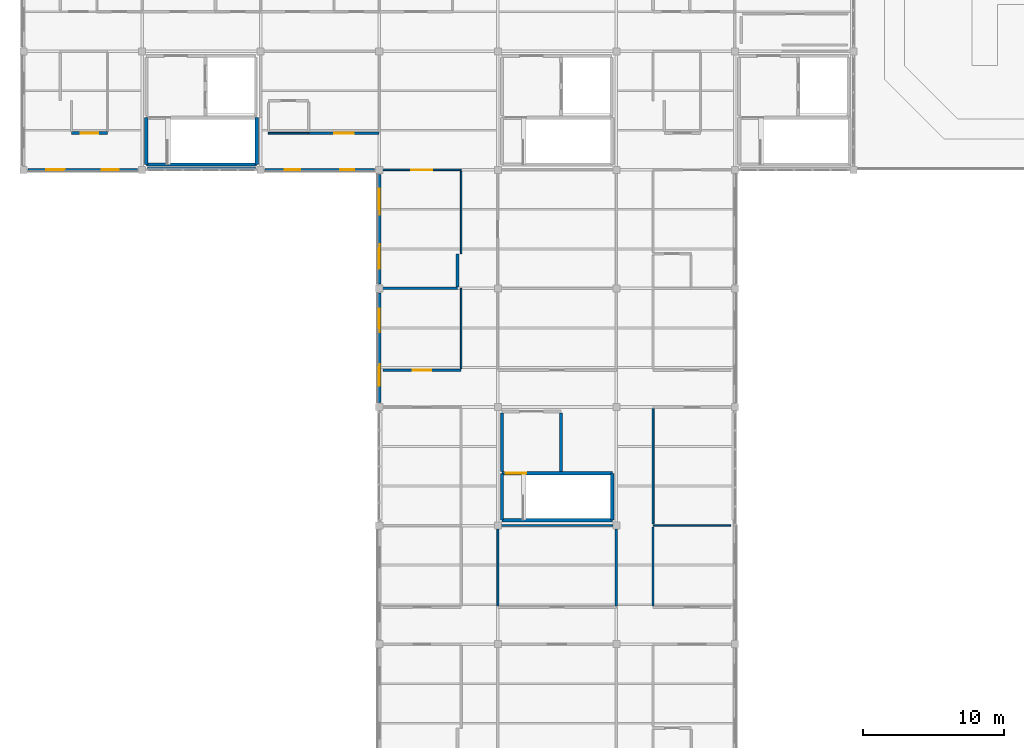
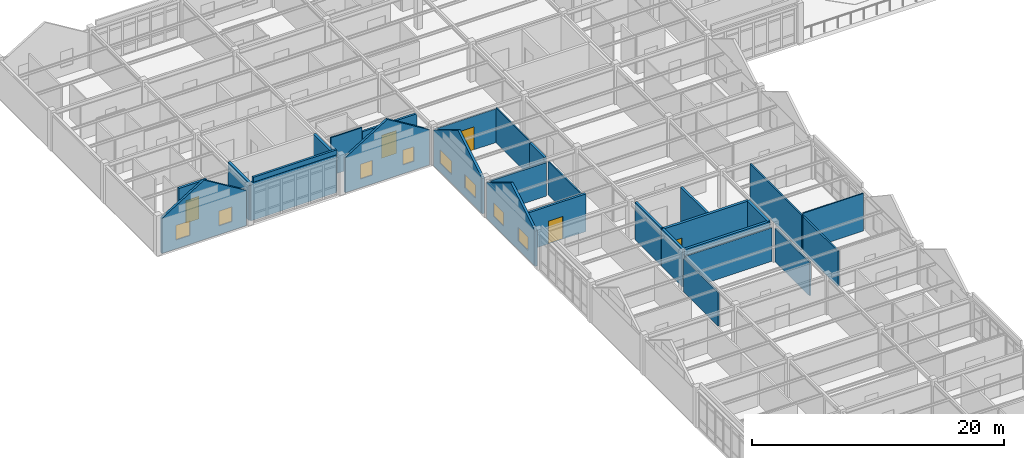
# One storey, part 38 of 45: 29 walls, 8 windows, 5 doors, 13 openings.
"""IFC4 building model written with IfcOpenShell, lengths in metres."""

from ifc_helpers import new_model, si_unit, direction, frame, frame_2d, origin, place, context, subcontext, project, spatial, polyline, rectangle, outline, extrude, material, layer, layer_set, type_object, element, fill, save


model = new_model("IFC4")

# Units and contexts
model_context = context("Model", 3, precision=1e-05, world=origin(), true_north=direction((0.0, 1.0)))
body_context = subcontext(model_context, "Body", "Model", "MODEL_VIEW")
ifc_project = project(units=[si_unit("LENGTHUNIT", "METRE"), si_unit("AREAUNIT", "SQUARE_METRE"), si_unit("VOLUMEUNIT", "CUBIC_METRE"), si_unit("PLANEANGLEUNIT", "RADIAN"), si_unit("MASSUNIT", "GRAM", prefix="KILO")], contexts=[model_context])

# Site, building, storey
site_placement = place(None, origin())
site = spatial("IfcSite", under=ifc_project, at=site_placement, CompositionType="ELEMENT")
building_placement = place(site_placement, origin())
building = spatial("IfcBuilding", under=site, at=building_placement, Name="Bramfleet General Hospital", CompositionType="ELEMENT")
storey_placement = place(building_placement, frame((0.0, 0.0, 30.300048828125)))
storey = spatial("IfcBuildingStorey", under=building, at=storey_placement, Name="L07", CompositionType="ELEMENT", Elevation=30.300048828125)

# Wall, openings, windows
ifc_material_1 = material(Name="Structural timber GL28h", Category="wood")
ifc_layer_1 = layer(ifc_material_1, 0.219970703125, Name="WT-EW-10")
ifc_layer_set_1 = layer_set([ifc_layer_1], Name="Structural timber GL28h")
wall_type_1 = type_object("IfcWallType", Name="WT-EW-10", PredefinedType="SOLIDWALL", material=ifc_layer_set_1)
wall_1_placement = place(storey_placement, frame((92.39990234375, 75.925048828125, 0.0), z_axis=(0.0, 0.0, 1.0), x_axis=(0.0, 1.0, 0.0)))
wall_1 = element("IfcWall", 1, at=wall_1_placement, inside=storey, type_object=wall_type_1, Name="L07 Exterior Wall 429", PredefinedType="SOLIDWALL", context=body_context, shape_type="SweptSolid", body=[
    extrude(outline(polyline([(0.0, 0.0), (7.75, 0.0), (7.75, 3.419921875), (3.875, 5.76025390625), (0.0, 3.419921875), (0.0, 0.0)])), frame((0.0, 0.10986328125, 0.0), z_axis=(0.0, -1.0, 0.0), x_axis=(1.0, 0.0, 0.0)), (0.0, 0.0, 1.0), 0.219970703125),
])
opening_1_placement = place(wall_1_placement, frame((1.16259765625, 0.0, 0.85009765625)))
opening_1 = element("IfcOpeningElement", 2, at=opening_1_placement, cuts=wall_1, Name="Opening W-07", PredefinedType="OPENING", context=body_context, shape_type="SweptSolid", body=[
    extrude(rectangle(XDim=1.550048828125, YDim=1.300048828125, at=frame_2d((0.77490234375, 0.64990234375))), frame((0.0, 0.119873046875, 0.0), z_axis=(0.0, -1.0, 0.0), x_axis=(1.0, 0.0, 0.0)), (0.0, 0.0, 1.0), 0.239990234375),
])
opening_2_placement = place(wall_1_placement, frame((4.987548828125, 0.0, 0.85009765625)))
opening_2 = element("IfcOpeningElement", 3, at=opening_2_placement, cuts=wall_1, Name="Opening W-08", PredefinedType="OPENING", context=body_context, shape_type="SweptSolid", body=[
    extrude(rectangle(XDim=1.64990234375, YDim=1.300048828125, at=frame_2d((0.824951171875, 0.64990234375))), frame((0.0, 0.119873046875, 0.0), z_axis=(0.0, -1.0, 0.0), x_axis=(1.0, 0.0, 0.0)), (0.0, 0.0, 1.0), 0.239990234375),
])
ifc_material_2 = material(Name="Anodised aluminium and low-E triple glazing", Category="aluminium")
window_type_1 = type_object("IfcWindowType", Name="WIN-W-07", PartitioningType="SINGLE_PANEL", PredefinedType="WINDOW", material=ifc_material_2)
window_1_placement = place(opening_1_placement, origin())
window_1 = element("IfcWindow", 4, at=window_1_placement, inside=storey, type_object=window_type_1, Name="L07 Facade Window WIN-L07-429-1", OverallHeight=1.300048828125, OverallWidth=1.550048828125, PartitioningType="SINGLE_PANEL", PredefinedType="WINDOW", context=body_context, shape_type="SweptSolid", body=[
    extrude(rectangle(XDim=1.550048828125, YDim=1.300048828125, at=frame_2d((0.77490234375, 0.64990234375))), frame((0.0, 0.030029296875, 0.0), z_axis=(0.0, -1.0, 0.0), x_axis=(1.0, 0.0, 0.0)), (0.0, 0.0, 1.0), 0.06005859375),
])
fill(opening_1, window_1)
window_type_2 = type_object("IfcWindowType", Name="WIN-W-08", PartitioningType="SINGLE_PANEL", PredefinedType="WINDOW", material=ifc_material_2)
window_2_placement = place(opening_2_placement, origin())
window_2 = element("IfcWindow", 5, at=window_2_placement, inside=storey, type_object=window_type_2, Name="L07 Facade Window WIN-L07-429-2", OverallHeight=1.300048828125, OverallWidth=1.64990234375, PartitioningType="SINGLE_PANEL", PredefinedType="WINDOW", context=body_context, shape_type="SweptSolid", body=[
    extrude(rectangle(XDim=1.64990234375, YDim=1.300048828125, at=frame_2d((0.824951171875, 0.64990234375))), frame((0.0, 0.030029296875, 0.0), z_axis=(0.0, -1.0, 0.0), x_axis=(1.0, 0.0, 0.0)), (0.0, 0.0, 1.0), 0.06005859375),
])
fill(opening_2, window_2)

wall_2_placement = place(storey_placement, frame((92.39990234375, 84.324951171875, 0.0), z_axis=(0.0, 0.0, 1.0), x_axis=(0.0, 1.0, 0.0)))
wall_2 = element("IfcWall", 6, at=wall_2_placement, inside=storey, type_object=wall_type_1, Name="L07 Exterior Wall 430", PredefinedType="SOLIDWALL", context=body_context, shape_type="SweptSolid", body=[
    extrude(outline(polyline([(0.0, 0.0), (7.75, 0.0), (7.75, 3.419921875), (3.875, 5.76025390625), (0.0, 3.419921875), (0.0, 0.0)])), frame((0.0, 0.10986328125, 0.0), z_axis=(0.0, -1.0, 0.0), x_axis=(1.0, 0.0, 0.0)), (0.0, 0.0, 1.0), 0.219970703125),
])
opening_3_placement = place(wall_2_placement, frame((1.0625, 0.0, 0.85009765625)))
opening_3 = element("IfcOpeningElement", 7, at=opening_3_placement, cuts=wall_2, Name="Opening W-09", PredefinedType="OPENING", context=body_context, shape_type="SweptSolid", body=[
    extrude(rectangle(XDim=1.75, YDim=1.300048828125, at=frame_2d((0.875, 0.64990234375))), frame((0.0, 0.119873046875, 0.0), z_axis=(0.0, -1.0, 0.0), x_axis=(1.0, 0.0, 0.0)), (0.0, 0.0, 1.0), 0.239990234375),
])
opening_4_placement = place(wall_2_placement, frame((4.887451171875, 0.0, 0.85009765625)))
opening_4 = element("IfcOpeningElement", 8, at=opening_4_placement, cuts=wall_2, Name="Opening W-10", PredefinedType="OPENING", context=body_context, shape_type="SweptSolid", body=[
    extrude(rectangle(XDim=1.85009765625, YDim=1.300048828125, at=frame_2d((0.925048828125, 0.64990234375))), frame((0.0, 0.119873046875, 0.0), z_axis=(0.0, -1.0, 0.0), x_axis=(1.0, 0.0, 0.0)), (0.0, 0.0, 1.0), 0.239990234375),
])
window_type_3 = type_object("IfcWindowType", Name="WIN-W-09", PartitioningType="SINGLE_PANEL", PredefinedType="WINDOW", material=ifc_material_2)
window_3_placement = place(opening_3_placement, origin())
window_3 = element("IfcWindow", 9, at=window_3_placement, inside=storey, type_object=window_type_3, Name="L07 Facade Window WIN-L07-430-1", OverallHeight=1.300048828125, OverallWidth=1.75, PartitioningType="SINGLE_PANEL", PredefinedType="WINDOW", context=body_context, shape_type="SweptSolid", body=[
    extrude(rectangle(XDim=1.75, YDim=1.300048828125, at=frame_2d((0.875, 0.64990234375))), frame((0.0, 0.030029296875, 0.0), z_axis=(0.0, -1.0, 0.0), x_axis=(1.0, 0.0, 0.0)), (0.0, 0.0, 1.0), 0.06005859375),
])
fill(opening_3, window_3)
window_type_4 = type_object("IfcWindowType", Name="WIN-W-10", PartitioningType="SINGLE_PANEL", PredefinedType="WINDOW", material=ifc_material_2)
window_4_placement = place(opening_4_placement, origin())
window_4 = element("IfcWindow", 10, at=window_4_placement, inside=storey, type_object=window_type_4, Name="L07 Facade Window WIN-L07-430-2", OverallHeight=1.300048828125, OverallWidth=1.85009765625, PartitioningType="SINGLE_PANEL", PredefinedType="WINDOW", context=body_context, shape_type="SweptSolid", body=[
    extrude(rectangle(XDim=1.85009765625, YDim=1.300048828125, at=frame_2d((0.925048828125, 0.64990234375))), frame((0.0, 0.030029296875, 0.0), z_axis=(0.0, -1.0, 0.0), x_axis=(1.0, 0.0, 0.0)), (0.0, 0.0, 1.0), 0.06005859375),
])
fill(opening_4, window_4)

wall_3_placement = place(storey_placement, frame((92.074951171875, 92.39990234375, 0.0), z_axis=(0.0, 0.0, 1.0), x_axis=(-1.0, 0.0, 0.0)))
wall_3 = element("IfcWall", 11, at=wall_3_placement, inside=storey, type_object=wall_type_1, Name="L07 Exterior Wall 431", PredefinedType="SOLIDWALL", context=body_context, shape_type="SweptSolid", body=[
    extrude(outline(polyline([(0.0, 0.0), (7.75, 0.0), (7.75, 3.39990234375), (3.875, 5.76025390625), (0.0, 3.39990234375), (0.0, 0.0)])), frame((0.0, 0.10986328125, 0.0), z_axis=(0.0, -1.0, 0.0), x_axis=(1.0, 0.0, 0.0)), (0.0, 0.0, 1.0), 0.219970703125),
])
opening_5_placement = place(wall_3_placement, frame((1.4375, 0.0, 0.85009765625)))
opening_5 = element("IfcOpeningElement", 12, at=opening_5_placement, cuts=wall_3, Name="Opening W-11", PredefinedType="OPENING", context=body_context, shape_type="SweptSolid", body=[
    extrude(rectangle(XDim=1.0, YDim=1.419921875, at=frame_2d((0.5, 0.7099609375))), frame((0.0, 0.119873046875, 0.0), z_axis=(0.0, -1.0, 0.0), x_axis=(1.0, 0.0, 0.0)), (0.0, 0.0, 1.0), 0.239990234375),
])
opening_6_placement = place(wall_3_placement, frame((5.262451171875, 0.0, 0.85009765625)))
opening_6 = element("IfcOpeningElement", 13, at=opening_6_placement, cuts=wall_3, Name="Opening W-12", PredefinedType="OPENING", context=body_context, shape_type="SweptSolid", body=[
    extrude(rectangle(XDim=1.10009765625, YDim=1.419921875, at=frame_2d((0.550048828125, 0.7099609375))), frame((0.0, 0.119873046875, 0.0), z_axis=(0.0, -1.0, 0.0), x_axis=(1.0, 0.0, 0.0)), (0.0, 0.0, 1.0), 0.239990234375),
])
window_type_5 = type_object("IfcWindowType", Name="WIN-W-11", PartitioningType="SINGLE_PANEL", PredefinedType="WINDOW", material=ifc_material_2)
window_5_placement = place(opening_5_placement, origin())
window_5 = element("IfcWindow", 14, at=window_5_placement, inside=storey, type_object=window_type_5, Name="L07 Facade Window WIN-L07-431-1", OverallHeight=1.419921875, OverallWidth=1.0, PartitioningType="SINGLE_PANEL", PredefinedType="WINDOW", context=body_context, shape_type="SweptSolid", body=[
    extrude(rectangle(XDim=1.0, YDim=1.419921875, at=frame_2d((0.5, 0.7099609375))), frame((0.0, 0.030029296875, 0.0), z_axis=(0.0, -1.0, 0.0), x_axis=(1.0, 0.0, 0.0)), (0.0, 0.0, 1.0), 0.06005859375),
])
fill(opening_5, window_5)
window_type_6 = type_object("IfcWindowType", Name="WIN-W-12", PartitioningType="SINGLE_PANEL", PredefinedType="WINDOW", material=ifc_material_2)
window_6_placement = place(opening_6_placement, origin())
window_6 = element("IfcWindow", 15, at=window_6_placement, inside=storey, type_object=window_type_6, Name="L07 Facade Window WIN-L07-431-2", OverallHeight=1.419921875, OverallWidth=1.10009765625, PartitioningType="SINGLE_PANEL", PredefinedType="WINDOW", context=body_context, shape_type="SweptSolid", body=[
    extrude(rectangle(XDim=1.10009765625, YDim=1.419921875, at=frame_2d((0.550048828125, 0.7099609375))), frame((0.0, 0.030029296875, 0.0), z_axis=(0.0, -1.0, 0.0), x_axis=(1.0, 0.0, 0.0)), (0.0, 0.0, 1.0), 0.06005859375),
])
fill(opening_6, window_6)

wall_4_placement = place(storey_placement, frame((75.27490234375, 92.39990234375, 0.0), z_axis=(0.0, 0.0, 1.0), x_axis=(-1.0, 0.0, 0.0)))
wall_4 = element("IfcWall", 16, at=wall_4_placement, inside=storey, type_object=wall_type_1, Name="L07 Exterior Wall 432", PredefinedType="SOLIDWALL", context=body_context, shape_type="SweptSolid", body=[
    extrude(outline(polyline([(0.0, 0.0), (7.75, 0.0), (7.75, 3.39990234375), (3.875, 5.76025390625), (0.0, 3.39990234375), (0.0, 0.0)])), frame((0.0, 0.10986328125, 0.0), z_axis=(0.0, -1.0, 0.0), x_axis=(1.0, 0.0, 0.0)), (0.0, 0.0, 1.0), 0.219970703125),
])
opening_7_placement = place(wall_4_placement, frame((1.33740234375, 0.0, 0.85009765625)))
opening_7 = element("IfcOpeningElement", 17, at=opening_7_placement, cuts=wall_4, Name="Opening W-13", PredefinedType="OPENING", context=body_context, shape_type="SweptSolid", body=[
    extrude(rectangle(XDim=1.199951171875, YDim=1.419921875, at=frame_2d((0.60009765625, 0.7099609375))), frame((0.0, 0.119873046875, 0.0), z_axis=(0.0, -1.0, 0.0), x_axis=(1.0, 0.0, 0.0)), (0.0, 0.0, 1.0), 0.239990234375),
])
opening_8_placement = place(wall_4_placement, frame((5.16259765625, 0.0, 0.85009765625)))
opening_8 = element("IfcOpeningElement", 18, at=opening_8_placement, cuts=wall_4, Name="Opening W-14", PredefinedType="OPENING", context=body_context, shape_type="SweptSolid", body=[
    extrude(rectangle(XDim=1.300048828125, YDim=1.419921875, at=frame_2d((0.64990234375, 0.7099609375))), frame((0.0, 0.119873046875, 0.0), z_axis=(0.0, -1.0, 0.0), x_axis=(1.0, 0.0, 0.0)), (0.0, 0.0, 1.0), 0.239990234375),
])
window_type_7 = type_object("IfcWindowType", Name="WIN-W-13", PartitioningType="SINGLE_PANEL", PredefinedType="WINDOW", material=ifc_material_2)
window_7_placement = place(opening_7_placement, origin())
window_7 = element("IfcWindow", 19, at=window_7_placement, inside=storey, type_object=window_type_7, Name="L07 Facade Window WIN-L07-432-1", OverallHeight=1.419921875, OverallWidth=1.199951171875, PartitioningType="SINGLE_PANEL", PredefinedType="WINDOW", context=body_context, shape_type="SweptSolid", body=[
    extrude(rectangle(XDim=1.199951171875, YDim=1.419921875, at=frame_2d((0.60009765625, 0.7099609375))), frame((0.0, 0.030029296875, 0.0), z_axis=(0.0, -1.0, 0.0), x_axis=(1.0, 0.0, 0.0)), (0.0, 0.0, 1.0), 0.06005859375),
])
fill(opening_7, window_7)
window_type_8 = type_object("IfcWindowType", Name="WIN-W-14", PartitioningType="SINGLE_PANEL", PredefinedType="WINDOW", material=ifc_material_2)
window_8_placement = place(opening_8_placement, origin())
window_8 = element("IfcWindow", 20, at=window_8_placement, inside=storey, type_object=window_type_8, Name="L07 Facade Window WIN-L07-432-2", OverallHeight=1.419921875, OverallWidth=1.300048828125, PartitioningType="SINGLE_PANEL", PredefinedType="WINDOW", context=body_context, shape_type="SweptSolid", body=[
    extrude(rectangle(XDim=1.300048828125, YDim=1.419921875, at=frame_2d((0.64990234375, 0.7099609375))), frame((0.0, 0.030029296875, 0.0), z_axis=(0.0, -1.0, 0.0), x_axis=(1.0, 0.0, 0.0)), (0.0, 0.0, 1.0), 0.06005859375),
])
fill(opening_8, window_8)

# Wall, opening, door
ifc_material_3 = material(Name="Concrete C35/45", Category="concrete")
ifc_layer_2 = layer(ifc_material_3, 0.219970703125, Name="WT-IW-01")
ifc_layer_set_2 = layer_set([ifc_layer_2], Name="Concrete C35/45")
wall_type_2 = type_object("IfcWallType", Name="WT-IW-01", PredefinedType="PARTITIONING", material=ifc_layer_set_2)
wall_5_placement = place(storey_placement, frame((70.60009765625, 95.0, 0.0), z_axis=(0.0, 0.0, 1.0), x_axis=(1.0, 0.0, 0.0)))
wall_5 = element("IfcWall", 21, at=wall_5_placement, inside=storey, type_object=wall_type_2, Name="L07 Interior Partition IW-L07-4201", PredefinedType="PARTITIONING", context=body_context, shape_type="SweptSolid", body=[
    extrude(rectangle(XDim=2.5498046875, YDim=0.219970703125, at=frame_2d((1.27490234375, 0.0))), origin(), (0.0, 0.0, 1.0), 3.64990234375),
])
opening_9_placement = place(wall_5_placement, frame((0.6650390625, 0.0, 0.0)))
opening_9 = element("IfcOpeningElement", 22, at=opening_9_placement, cuts=wall_5, Name="Opening D1527", PredefinedType="OPENING", context=body_context, shape_type="SweptSolid", body=[
    extrude(rectangle(XDim=1.219970703125, YDim=2.179931640625, at=frame_2d((0.60986328125, 1.08984375))), frame((0.0, 0.119873046875, 0.0), z_axis=(0.0, -1.0, 0.0), x_axis=(1.0, 0.0, 0.0)), (0.0, 0.0, 1.0), 0.239990234375),
])
ifc_material_4 = material(Name="Stainless steel and acoustic timber leaf", Category="steel")
door_type_1 = type_object("IfcDoorType", Name="DR-D-23", OperationType="NOTDEFINED", PredefinedType="DOOR", material=ifc_material_4)
door_1_placement = place(opening_9_placement, origin())
door_1 = element("IfcDoor", 23, at=door_1_placement, inside=storey, type_object=door_type_1, Name="Gabled Patient House PH-01 Bedroom 0811 Door D1527", OperationType="SINGLE_SWING_RIGHT", OverallHeight=2.179931640625, OverallWidth=1.219970703125, PredefinedType="DOOR", context=body_context, shape_type="SweptSolid", body=[
    extrude(rectangle(XDim=1.219970703125, YDim=2.179931640625, at=frame_2d((0.60986328125, 1.08984375))), frame((0.0, 0.02490234375, 0.0), z_axis=(0.0, -1.0, 0.0), x_axis=(1.0, 0.0, 0.0)), (0.0, 0.0, 1.0), 0.050048828125),
])
fill(opening_9, door_1)

# Walls
ifc_layer_3 = layer(ifc_material_3, 0.205078125, Name="WT-IW-02")
ifc_layer_set_3 = layer_set([ifc_layer_3], Name="Concrete C35/45")
wall_type_3 = type_object("IfcWallType", Name="WT-IW-02", PredefinedType="PARTITIONING", material=ifc_layer_set_3)
for number, where, z_axis, x_axis, name in (
    (24, (105.280029296875, 71.0400390625, 0.0), (0.0, 0.0, 1.0), (0.0, 1.0, 0.0), "L07 C11 Lobby East Shaft Wall"),
    (25, (101.10009765625, 71.0400390625, 0.0), (0.0, 0.0, 1.0), (0.0, 1.0, 0.0), "L07 C11 Lobby West Compartment Wall"),
):
    element("IfcWall", number, at=place(storey_placement, frame(where, z_axis=z_axis, x_axis=x_axis)), inside=storey, type_object=wall_type_3, Name=name, PredefinedType="PARTITIONING", context=body_context, shape_type="SweptSolid", body=[
        extrude(rectangle(XDim=4.119873046875, YDim=0.205078125, at=frame_2d((2.06005859375, 0.0))), origin(), (0.0, 0.0, 1.0), 3.64990234375),
    ])

# Wall, opening, door
wall_6_placement = place(storey_placement, frame((92.679931640625, 78.199951171875, 0.0), z_axis=(0.0, 0.0, 1.0), x_axis=(1.0, 0.0, 0.0)))
wall_6 = element("IfcWall", 26, at=wall_6_placement, inside=storey, type_object=wall_type_3, Name="L07 Interior Partition IW-L07-4190", PredefinedType="PARTITIONING", context=body_context, shape_type="SweptSolid", body=[
    extrude(rectangle(XDim=5.52001953125, YDim=0.205078125, at=frame_2d((2.760009765625, 0.0))), origin(), (0.0, 0.0, 1.0), 3.64990234375),
])
opening_10_placement = place(wall_6_placement, frame((2.110107421875, 0.0, 0.0)))
opening_10 = element("IfcOpeningElement", 27, at=opening_10_placement, cuts=wall_6, Name="Opening D1551", PredefinedType="OPENING", context=body_context, shape_type="SweptSolid", body=[
    extrude(rectangle(XDim=1.300048828125, YDim=2.199951171875, at=frame_2d((0.64990234375, 1.10009765625))), frame((0.0, 0.112548828125, 0.0), z_axis=(0.0, -1.0, 0.0), x_axis=(1.0, 0.0, 0.0)), (0.0, 0.0, 1.0), 0.22509765625),
])
door_type_2 = type_object("IfcDoorType", Name="DR-D-15", OperationType="NOTDEFINED", PredefinedType="DOOR", material=ifc_material_4)
door_2_placement = place(opening_10_placement, origin())
door_2 = element("IfcDoor", 28, at=door_2_placement, inside=storey, type_object=door_type_2, Name="Gabled Patient House PH-13 Bedroom 1109 Door D1551", OperationType="SINGLE_SWING_RIGHT", OverallHeight=2.199951171875, OverallWidth=1.300048828125, PredefinedType="DOOR", context=body_context, shape_type="SweptSolid", body=[
    extrude(rectangle(XDim=1.300048828125, YDim=2.199951171875, at=frame_2d((0.64990234375, 1.10009765625))), frame((0.0, 0.02490234375, 0.0), z_axis=(0.0, -1.0, 0.0), x_axis=(1.0, 0.0, 0.0)), (0.0, 0.0, 1.0), 0.050048828125),
])
fill(opening_10, door_2)

# Wall
wall_7_placement = place(storey_placement, frame((97.949951171875, 84.114990234375, 0.0), z_axis=(0.0, 0.0, 1.0), x_axis=(0.0, 1.0, 0.0)))
element("IfcWall", 29, at=wall_7_placement, inside=storey, type_object=wall_type_3, Name="L07 Interior Partition IW-L07-4274", PredefinedType="PARTITIONING", context=body_context, shape_type="SweptSolid", body=[
    extrude(rectangle(XDim=2.3349609375, YDim=0.205078125, at=frame_2d((1.16748046875, 0.0))), origin(), (0.0, 0.0, 1.0), 3.64990234375),
])

# Wall, opening, door
ifc_layer_4 = layer(ifc_material_3, 0.18994140625, Name="WT-IW-03")
ifc_layer_set_4 = layer_set([ifc_layer_4], Name="Concrete C35/45")
wall_type_4 = type_object("IfcWallType", Name="WT-IW-03", PredefinedType="PARTITIONING", material=ifc_layer_set_4)
wall_8_placement = place(storey_placement, frame((87.39990234375, 95.0, 0.0), z_axis=(0.0, 0.0, 1.0), x_axis=(1.0, 0.0, 0.0)))
wall_8 = element("IfcWall", 30, at=wall_8_placement, inside=storey, type_object=wall_type_4, Name="L07 Interior Partition IW-L07-4203", PredefinedType="PARTITIONING", context=body_context, shape_type="SweptSolid", body=[
    extrude(rectangle(XDim=5.0, YDim=0.18994140625, at=frame_2d((2.5, 0.0))), origin(), (0.0, 0.0, 1.0), 3.25),
])
opening_11_placement = place(wall_8_placement, frame((1.81005859375, 0.0, 0.0)))
opening_11 = element("IfcOpeningElement", 31, at=opening_11_placement, cuts=wall_8, Name="Opening D1534", PredefinedType="OPENING", context=body_context, shape_type="SweptSolid", body=[
    extrude(rectangle(XDim=1.3798828125, YDim=2.219970703125, at=frame_2d((0.68994140625, 1.10986328125))), frame((0.0, 0.10498046875, 0.0), z_axis=(0.0, -1.0, 0.0), x_axis=(1.0, 0.0, 0.0)), (0.0, 0.0, 1.0), 0.2099609375),
])
door_type_3 = type_object("IfcDoorType", Name="DR-D-30", OperationType="NOTDEFINED", PredefinedType="DOOR", material=ifc_material_4)
door_3_placement = place(opening_11_placement, origin())
door_3 = element("IfcDoor", 32, at=door_3_placement, inside=storey, type_object=door_type_3, Name="Gabled Patient House PH-02 Bedroom 1011 Door D1534", OperationType="SINGLE_SWING_LEFT", OverallHeight=2.219970703125, OverallWidth=1.3798828125, PredefinedType="DOOR", context=body_context, shape_type="SweptSolid", body=[
    extrude(rectangle(XDim=1.3798828125, YDim=2.219970703125, at=frame_2d((0.68994140625, 1.10986328125))), frame((0.0, 0.02490234375, 0.0), z_axis=(0.0, -1.0, 0.0), x_axis=(1.0, 0.0, 0.0)), (0.0, 0.0, 1.0), 0.050048828125),
])
fill(opening_11, door_3)

# Walls
ifc_material_5 = material(Name="Gypsum plasterboard on acoustic steel studs", Category="steel")
ifc_layer_5 = layer(ifc_material_5, 0.169921875, Name="WT-IW-05")
ifc_layer_set_5 = layer_set([ifc_layer_5], Name="Gypsum plasterboard on acoustic steel studs")
wall_type_5 = type_object("IfcWallType", Name="WT-IW-05", PredefinedType="PARTITIONING", material=ifc_layer_set_5)
wall_9_placement = place(storey_placement, frame((92.64501953125, 84.0, 0.0), z_axis=(0.0, 0.0, 1.0), x_axis=(1.0, 0.0, 0.0)))
element("IfcWall", 33, at=wall_9_placement, inside=storey, type_object=wall_type_5, Name="L07 Interior Partition IW-L07-4193", PredefinedType="PARTITIONING", context=body_context, shape_type="SweptSolid", body=[
    extrude(rectangle(XDim=5.304931640625, YDim=0.169921875, at=frame_2d((2.65234375, 0.0))), origin(), (0.0, 0.0, 1.0), 3.25),
])
wall_10_placement = place(storey_placement, frame((109.199951171875, 61.514892578125, 0.0), z_axis=(0.0, 0.0, 1.0), x_axis=(0.0, 1.0, 0.0)))
element("IfcWall", 34, at=wall_10_placement, inside=storey, type_object=wall_type_5, Name="L07 Interior Partition IW-L07-4301", PredefinedType="PARTITIONING", context=body_context, shape_type="SweptSolid", body=[
    extrude(rectangle(XDim=5.440185546875, YDim=0.169921875, at=frame_2d((2.72021484375, 0.0))), origin(), (0.0, 0.0, 1.0), 3.25),
])
ifc_layer_6 = layer(ifc_material_5, 0.14990234375, Name="WT-IW-07")
ifc_layer_set_6 = layer_set([ifc_layer_6], Name="Gypsum plasterboard on acoustic steel studs")
wall_type_6 = type_object("IfcWallType", Name="WT-IW-07", PredefinedType="PARTITIONING", material=ifc_layer_set_6)
wall_11_placement = place(storey_placement, frame((111.800048828125, 61.514892578125, 0.0), z_axis=(0.0, 0.0, 1.0), x_axis=(0.0, 1.0, 0.0)))
element("IfcWall", 35, at=wall_11_placement, inside=storey, type_object=wall_type_6, Name="L07 Interior Partition IW-L07-4315", PredefinedType="PARTITIONING", context=body_context, shape_type="SweptSolid", body=[
    extrude(rectangle(XDim=5.570068359375, YDim=0.14990234375, at=frame_2d((2.78515625, 0.0))), origin(), (0.0, 0.0, 1.0), 3.409912109375),
])
ifc_layer_7 = layer(ifc_material_5, 0.139892578125, Name="WT-IW-08")
ifc_layer_set_7 = layer_set([ifc_layer_7], Name="Gypsum plasterboard on acoustic steel studs")
wall_type_7 = type_object("IfcWallType", Name="WT-IW-08", PredefinedType="PARTITIONING", material=ifc_layer_set_7)
wall_12_placement = place(storey_placement, frame((100.800048828125, 61.514892578125, 0.0), z_axis=(0.0, 0.0, 1.0), x_axis=(0.0, 1.0, 0.0)))
element("IfcWall", 36, at=wall_12_placement, inside=storey, type_object=wall_type_7, Name="L07 Interior Partition IW-L07-4292", PredefinedType="PARTITIONING", context=body_context, shape_type="SweptSolid", body=[
    extrude(rectangle(XDim=5.440185546875, YDim=0.139892578125, at=frame_2d((2.72021484375, 0.0))), origin(), (0.0, 0.0, 1.0), 3.25),
])
wall_13_placement = place(storey_placement, frame((111.800048828125, 67.31494140625, 0.0), z_axis=(0.0, 0.0, 1.0), x_axis=(0.0, 1.0, 0.0)))
element("IfcWall", 37, at=wall_13_placement, inside=storey, type_object=wall_type_7, Name="L07 Interior Partition IW-L07-4316", PredefinedType="PARTITIONING", context=body_context, shape_type="SweptSolid", body=[
    extrude(rectangle(XDim=8.170166015625, YDim=0.139892578125, at=frame_2d((4.0849609375, 0.0))), origin(), (0.0, 0.0, 1.0), 3.409912109375),
])
ifc_layer_8 = layer(ifc_material_5, 0.1201171875, Name="WT-IW-10")
ifc_layer_set_8 = layer_set([ifc_layer_8], Name="Gypsum plasterboard on acoustic steel studs")
wall_type_8 = type_object("IfcWallType", Name="WT-IW-10", PredefinedType="PARTITIONING", material=ifc_layer_set_8)
wall_14_placement = place(storey_placement, frame((101.044921875, 67.199951171875, 0.0), z_axis=(0.0, 0.0, 1.0), x_axis=(1.0, 0.0, 0.0)))
element("IfcWall", 38, at=wall_14_placement, inside=storey, type_object=wall_type_8, Name="L07 Interior Partition IW-L07-4186", PredefinedType="PARTITIONING", context=body_context, shape_type="SweptSolid", body=[
    extrude(rectangle(XDim=7.91015625, YDim=0.1201171875, at=frame_2d((3.955078125, 0.0))), origin(), (0.0, 0.0, 1.0), 3.25),
])

# Wall, opening, door
wall_15_placement = place(storey_placement, frame((92.64501953125, 92.39990234375, 0.0), z_axis=(0.0, 0.0, 1.0), x_axis=(1.0, 0.0, 0.0)))
wall_15 = element("IfcWall", 39, at=wall_15_placement, inside=storey, type_object=wall_type_8, Name="L07 Interior Partition IW-L07-4198", PredefinedType="PARTITIONING", context=body_context, shape_type="SweptSolid", body=[
    extrude(rectangle(XDim=5.554931640625, YDim=0.1201171875, at=frame_2d((2.77734375, 0.0))), origin(), (0.0, 0.0, 1.0), 3.25),
])
opening_12_placement = place(wall_15_placement, frame((2.03759765625, 0.0, 0.0)))
opening_12 = element("IfcOpeningElement", 40, at=opening_12_placement, cuts=wall_15, Name="Opening D1552", PredefinedType="OPENING", context=body_context, shape_type="SweptSolid", body=[
    extrude(rectangle(XDim=1.47998046875, YDim=2.219970703125, at=frame_2d((0.739990234375, 1.10986328125))), frame((0.0, 0.070068359375, 0.0), z_axis=(0.0, -1.0, 0.0), x_axis=(1.0, 0.0, 0.0)), (0.0, 0.0, 1.0), 0.14013671875),
])
door_type_4 = type_object("IfcDoorType", Name="DR-D-16", OperationType="NOTDEFINED", PredefinedType="DOOR", material=ifc_material_4)
door_4_placement = place(opening_12_placement, origin())
door_4 = element("IfcDoor", 41, at=door_4_placement, inside=storey, type_object=door_type_4, Name="Gabled Patient House PH-14 Bedroom 1110 Door D1552", OperationType="SINGLE_SWING_LEFT", OverallHeight=2.219970703125, OverallWidth=1.47998046875, PredefinedType="DOOR", context=body_context, shape_type="SweptSolid", body=[
    extrude(rectangle(XDim=1.47998046875, YDim=2.219970703125, at=frame_2d((0.739990234375, 1.10986328125))), frame((0.0, 0.02490234375, 0.0), z_axis=(0.0, -1.0, 0.0), x_axis=(1.0, 0.0, 0.0)), (0.0, 0.0, 1.0), 0.050048828125),
])
fill(opening_12, door_4)

# Walls
wall_16_placement = place(storey_placement, frame((84.550048828125, 95.0, 0.0), z_axis=(0.0, 0.0, 1.0), x_axis=(1.0, 0.0, 0.0)))
element("IfcWall", 42, at=wall_16_placement, inside=storey, type_object=wall_type_8, Name="L07 Interior Partition IW-L07-4202", PredefinedType="PARTITIONING", context=body_context, shape_type="SweptSolid", body=[
    extrude(rectangle(XDim=2.849853515625, YDim=0.1201171875, at=frame_2d((1.4248046875, 0.0))), origin(), (0.0, 0.0, 1.0), 3.64990234375),
])
ifc_layer_9 = layer(ifc_material_5, 0.112060546875, Name="WT-IW-11")
ifc_layer_set_9 = layer_set([ifc_layer_9], Name="Gypsum plasterboard on acoustic steel studs")
wall_type_9 = type_object("IfcWallType", Name="WT-IW-11", PredefinedType="PARTITIONING", material=ifc_layer_set_9)
wall_17_placement = place(storey_placement, frame((111.800048828125, 67.199951171875, 0.0), z_axis=(0.0, 0.0, 1.0), x_axis=(1.0, 0.0, 0.0)))
element("IfcWall", 43, at=wall_17_placement, inside=storey, type_object=wall_type_9, Name="L07 Interior Partition IW-L07-4187", PredefinedType="PARTITIONING", context=body_context, shape_type="SweptSolid", body=[
    extrude(rectangle(XDim=5.52001953125, YDim=0.112060546875, at=frame_2d((2.760009765625, 0.0))), origin(), (0.0, 0.0, 1.0), 3.64990234375),
])
wall_18_placement = place(storey_placement, frame((98.199951171875, 78.31494140625, 0.0), z_axis=(0.0, 0.0, 1.0), x_axis=(0.0, 1.0, 0.0)))
element("IfcWall", 44, at=wall_18_placement, inside=storey, type_object=wall_type_9, Name="L07 Interior Partition IW-L07-4283", PredefinedType="PARTITIONING", context=body_context, shape_type="SweptSolid", body=[
    extrude(rectangle(XDim=5.68505859375, YDim=0.112060546875, at=frame_2d((2.842529296875, 0.0))), origin(), (0.0, 0.0, 1.0), 3.25),
])
ifc_layer_10 = layer(ifc_material_5, 0.10009765625, Name="WT-IW-12")
ifc_layer_set_10 = layer_set([ifc_layer_10], Name="Gypsum plasterboard on acoustic steel studs")
wall_type_10 = type_object("IfcWallType", Name="WT-IW-12", PredefinedType="PARTITIONING", material=ifc_layer_set_10)
wall_19_placement = place(storey_placement, frame((98.199951171875, 86.449951171875, 0.0), z_axis=(0.0, 0.0, 1.0), x_axis=(0.0, 1.0, 0.0)))
element("IfcWall", 45, at=wall_19_placement, inside=storey, type_object=wall_type_10, Name="L07 Interior Partition IW-L07-4284", PredefinedType="PARTITIONING", context=body_context, shape_type="SweptSolid", body=[
    extrude(rectangle(XDim=5.8349609375, YDim=0.10009765625, at=frame_2d((2.91748046875, 0.0))), origin(), (0.0, 0.0, 1.0), 3.409912109375),
])
ifc_material_6 = material(Name="Precast concrete C40/50", Category="concrete")
ifc_layer_11 = layer(ifc_material_6, 0.199951171875, Name="WT-PW-01")
ifc_layer_set_11 = layer_set([ifc_layer_11], Name="Precast concrete C40/50")
wall_type_11 = type_object("IfcWallType", Name="WT-PW-01", PredefinedType="PARAPET", material=ifc_layer_set_11)
wall_20_placement = place(storey_placement, frame((83.6201171875, 92.510009765625, 3.8798828125), z_axis=(0.0, 0.0, 1.0), x_axis=(-1.0, 0.0, 0.0)))
element("IfcWall", 46, at=wall_20_placement, inside=storey, type_object=wall_type_11, Name="Roof Parapet Wall 109", PredefinedType="PARAPET", context=body_context, shape_type="SweptSolid", body=[
    extrude(rectangle(XDim=7.64013671875, YDim=0.199951171875, at=frame_2d((3.820068359375, 0.0))), origin(), (0.0, 0.0, 1.0), 0.469970703125),
])
ifc_material_7 = material(Name="Concrete C40/50", Category="concrete")
ifc_layer_12 = layer(ifc_material_7, 0.239990234375, Name="WT-SW-240")
ifc_layer_set_12 = layer_set([ifc_layer_12], Name="Concrete C40/50")
wall_type_12 = type_object("IfcWallType", Name="WT-SW-240", PredefinedType="SHEAR", material=ifc_layer_set_12)
wall_21_placement = place(storey_placement, frame((75.89990234375, 92.780029296875, 0.0), z_axis=(0.0, 0.0, 1.0), x_axis=(1.0, 0.0, 0.0)))
element("IfcWall", 47, at=wall_21_placement, inside=storey, type_object=wall_type_12, Name="L07 C5 South Stair Shear Wall", PredefinedType="SHEAR", context=body_context, shape_type="SweptSolid", body=[
    extrude(rectangle(XDim=7.820068359375, YDim=0.239990234375, at=frame_2d((3.91015625, 0.0))), origin(), (0.0, 0.0, 1.0), 3.659912109375),
])
for number, where, z_axis, x_axis, name in (
    (48, (75.89990234375, 92.780029296875, 0.0), (0.0, 0.0, 1.0), (0.0, 1.0, 0.0), "L07 C5 West Stair Shear Wall"),
    (49, (83.719970703125, 92.780029296875, 0.0), (0.0, 0.0, 1.0), (0.0, 1.0, 0.0), "L07 C5 East Stair Shear Wall"),
):
    element("IfcWall", number, at=place(storey_placement, frame(where, z_axis=z_axis, x_axis=x_axis)), inside=storey, type_object=wall_type_12, Name=name, PredefinedType="SHEAR", context=body_context, shape_type="SweptSolid", body=[
        extrude(rectangle(XDim=3.320068359375, YDim=0.239990234375, at=frame_2d((1.66015625, 0.0))), origin(), (0.0, 0.0, 1.0), 3.659912109375),
    ])
wall_22_placement = place(storey_placement, frame((101.10009765625, 67.580078125, 0.0), z_axis=(0.0, 0.0, 1.0), x_axis=(1.0, 0.0, 0.0)))
element("IfcWall", 50, at=wall_22_placement, inside=storey, type_object=wall_type_12, Name="L07 C11 South Stair Shear Wall", PredefinedType="SHEAR", context=body_context, shape_type="SweptSolid", body=[
    extrude(rectangle(XDim=7.81982421875, YDim=0.239990234375, at=frame_2d((3.909912109375, 0.0))), origin(), (0.0, 0.0, 1.0), 3.659912109375),
])
for number, where, z_axis, x_axis, name in (
    (51, (101.10009765625, 67.580078125, 0.0), (0.0, 0.0, 1.0), (0.0, 1.0, 0.0), "L07 C11 West Stair Shear Wall"),
    (52, (108.919921875, 67.580078125, 0.0), (0.0, 0.0, 1.0), (0.0, 1.0, 0.0), "L07 C11 East Stair Shear Wall"),
):
    element("IfcWall", number, at=place(storey_placement, frame(where, z_axis=z_axis, x_axis=x_axis)), inside=storey, type_object=wall_type_12, Name=name, PredefinedType="SHEAR", context=body_context, shape_type="SweptSolid", body=[
        extrude(rectangle(XDim=3.31982421875, YDim=0.239990234375, at=frame_2d((1.659912109375, 0.0))), origin(), (0.0, 0.0, 1.0), 3.659912109375),
    ])

# Wall, opening, door
wall_23_placement = place(storey_placement, frame((101.10009765625, 70.89990234375, 0.0), z_axis=(0.0, 0.0, 1.0), x_axis=(1.0, 0.0, 0.0)))
wall_23 = element("IfcWall", 53, at=wall_23_placement, inside=storey, type_object=wall_type_12, Name="L07 C11 Stair-Lobby Shear Wall", PredefinedType="SHEAR", context=body_context, shape_type="SweptSolid", body=[
    extrude(rectangle(XDim=7.81982421875, YDim=0.239990234375, at=frame_2d((3.909912109375, 0.0))), origin(), (0.0, 0.0, 1.0), 3.659912109375),
])
opening_13_placement = place(wall_23_placement, frame((0.25, 0.0, 0.0)))
opening_13 = element("IfcOpeningElement", 54, at=opening_13_placement, cuts=wall_23, Name="Opening D0153", PredefinedType="OPENING", context=body_context, shape_type="SweptSolid", body=[
    extrude(rectangle(XDim=1.449951171875, YDim=2.199951171875, at=frame_2d((0.72509765625, 1.10009765625))), frame((0.0, 0.1298828125, 0.0), z_axis=(0.0, -1.0, 0.0), x_axis=(1.0, 0.0, 0.0)), (0.0, 0.0, 1.0), 0.260009765625),
])
door_type_5 = type_object("IfcDoorType", Name="DR-D-03", OperationType="NOTDEFINED", PredefinedType="DOOR", material=ifc_material_4)
door_5_placement = place(opening_13_placement, origin())
door_5 = element("IfcDoor", 55, at=door_5_placement, inside=storey, type_object=door_type_5, Name="L07 C11 Escape Stair Fire Door D0153", OperationType="SINGLE_SWING_RIGHT", OverallHeight=2.199951171875, OverallWidth=1.449951171875, PredefinedType="DOOR", context=body_context, shape_type="SweptSolid", body=[
    extrude(rectangle(XDim=1.449951171875, YDim=2.199951171875, at=frame_2d((0.72509765625, 1.10009765625))), frame((0.0, 0.02490234375, 0.0), z_axis=(0.0, -1.0, 0.0), x_axis=(1.0, 0.0, 0.0)), (0.0, 0.0, 1.0), 0.050048828125),
])
fill(opening_13, door_5)

save(model, "model.ifc")
